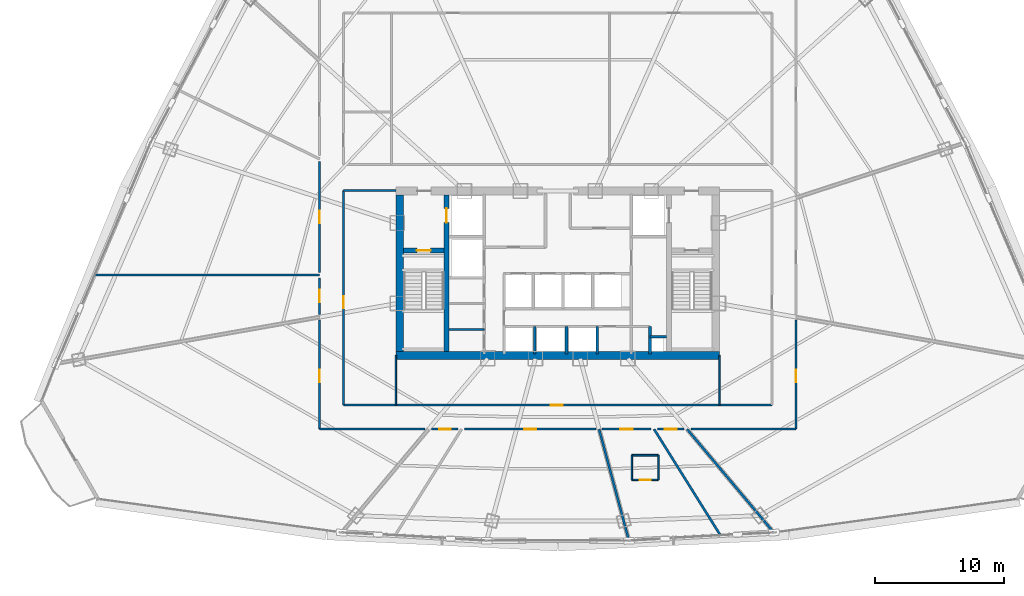
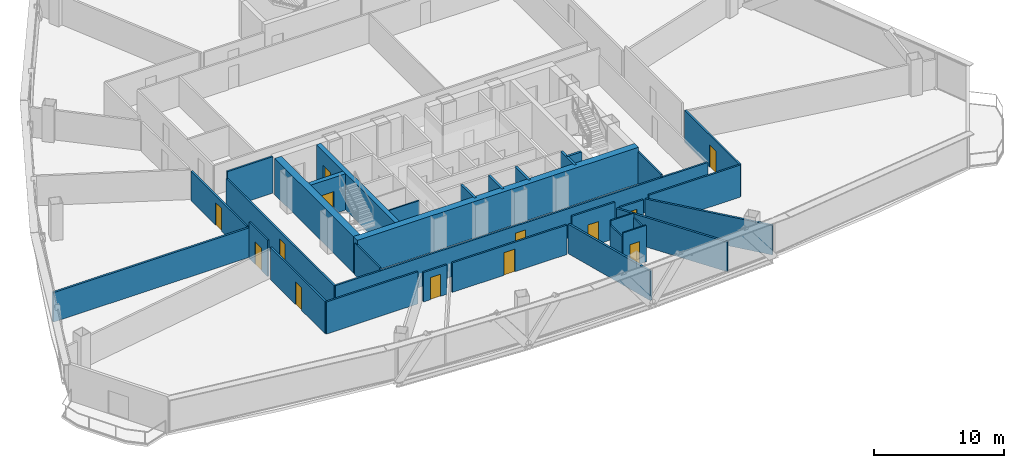
# One storey, part 32 of 39: 33 walls, 13 doors, 13 openings.
"""IFC4 building model written with IfcOpenShell, lengths in metres."""

from ifc_helpers import new_model, si_unit, direction, frame, frame_2d, origin, origin_with_axes, place, context, subcontext, project, spatial, rectangle, extrude, source, transform, mapped, material, layer, layer_set, type_object, element, fill, save


model = new_model("IFC4")

# Units and contexts
model_context = context("Model", 3, precision=1e-05, world=origin(), true_north=direction((0.0, 1.0)))
body_context = subcontext(model_context, "Body", "Model", "MODEL_VIEW")
ifc_project = project(units=[si_unit("LENGTHUNIT", "METRE"), si_unit("AREAUNIT", "SQUARE_METRE"), si_unit("VOLUMEUNIT", "CUBIC_METRE"), si_unit("PLANEANGLEUNIT", "RADIAN"), si_unit("MASSUNIT", "GRAM", prefix="KILO"), si_unit("THERMODYNAMICTEMPERATUREUNIT", "KELVIN"), si_unit("POWERUNIT", "WATT")], contexts=[model_context])

# Site, building, storey
site_placement = place(None, origin())
site = spatial("IfcSite", under=ifc_project, at=site_placement, CompositionType="ELEMENT")
building_placement = place(site_placement, origin())
building = spatial("IfcBuilding", under=site, at=building_placement, Name="Yunzhuo Pagoda Commons", CompositionType="ELEMENT")
storey_placement = place(building_placement, frame((0.0, 0.0, 144.550048828125)))
storey = spatial("IfcBuildingStorey", under=building, at=storey_placement, Name="L36", CompositionType="ELEMENT", Elevation=144.550048828125)

# Walls
ifc_material_1 = material(Name="Concrete C60", Category="concrete")
ifc_layer_1 = layer(ifc_material_1, 0.60009765625)
ifc_layer_set_1 = layer_set([ifc_layer_1], Name="Concrete C60")
wall_type_1 = type_object("IfcWallType", Name="W-C02 Mid Core Shear Wall 600", PredefinedType="SHEAR", material=ifc_layer_set_1)
wall_1_placement = place(storey_placement, frame((35.5, 27.5, 0.0), z_axis=(0.0, 0.0, 1.0), x_axis=(1.0, 0.0, 0.0)))
element("IfcWall", 1, at=wall_1_placement, inside=storey, type_object=wall_type_1, Name="L36 core shear wall S", PredefinedType="SHEAR", context=body_context, shape_type="SweptSolid", body=[
    extrude(rectangle(XDim=25.0, YDim=0.60009765625, at=frame_2d((12.5, 0.0))), origin(), (0.0, 0.0, 1.0), 3.419921875),
])
wall_2_placement = place(storey_placement, frame((35.800048828125, 27.800048828125, 0.0), z_axis=(0.0, 0.0, 1.0), x_axis=(0.0, 1.0, 0.0)))
element("IfcWall", 2, at=wall_2_placement, inside=storey, type_object=wall_type_1, Name="L36 core shear wall W", PredefinedType="SHEAR", context=body_context, shape_type="SweptSolid", body=[
    extrude(rectangle(XDim=12.099853515625, YDim=0.60009765625, at=frame_2d((6.0498046875, 0.0))), origin(), (0.0, 0.0, 1.0), 3.419921875),
])

# Wall, opening, door
ifc_material_2 = material(Name="Gypsum plasterboard on acoustic stud")
ifc_layer_2 = layer(ifc_material_2, 0.155029296875)
ifc_layer_set_2 = layer_set([ifc_layer_2], Name="Gypsum plasterboard on acoustic stud")
wall_type_2 = type_object("IfcWallType", Name="W-COR2 Mid-Zone Rated Corridor Wall 155", PredefinedType="PARTITIONING", material=ifc_layer_set_2)
wall_3_placement = place(storey_placement, frame((31.449951171875, 23.64990234375, 0.0), z_axis=(0.0, 0.0, 1.0), x_axis=(0.0, 1.0, 0.0)))
wall_3 = element("IfcWall", 3, at=wall_3_placement, inside=storey, type_object=wall_type_2, Name="L36 interior wall IW-L36-SFLW", PredefinedType="PARTITIONING", context=body_context, shape_type="SweptSolid", body=[
    extrude(rectangle(XDim=16.60009765625, YDim=0.155029296875, at=frame_2d((8.300048828125, 0.0))), origin(), (0.0, 0.0, 1.0), 2.77001953125),
])
opening_1_placement = place(wall_3_placement, frame((7.5, 0.0, 0.0)))
opening_1 = element("IfcOpeningElement", 4, at=opening_1_placement, cuts=wall_3, Name="Opening D-12", PredefinedType="OPENING", context=body_context, shape_type="SweptSolid", body=[
    extrude(rectangle(XDim=0.89990234375, YDim=2.080078125, at=frame_2d((0.449951171875, 1.0400390625))), frame((0.0, 0.08740234375, 0.0), z_axis=(0.0, -1.0, 0.0), x_axis=(1.0, 0.0, 0.0)), (0.0, 0.0, 1.0), 0.175048828125),
])
ifc_material_3 = material(Name="Powder-coated aluminium and timber acoustic leaf", Category="wood")
door_type_1 = type_object("IfcDoorType", Name="D-12 Quiet Study Interior Door 900x2080", OperationType="NOTDEFINED", PredefinedType="DOOR", material=ifc_material_3)
shared_shape_1 = source(origin(), body_context, "Body", "SweptSolid", [
    extrude(rectangle(XDim=0.89990234375, YDim=2.080078125, at=frame_2d((0.449951171875, 1.0400390625))), frame((0.0, 0.02490234375, 0.0), z_axis=(0.0, -1.0, 0.0), x_axis=(1.0, 0.0, 0.0)), (0.0, 0.0, 1.0), 0.050048828125),
])
door_1_placement = place(opening_1_placement, origin_with_axes())
door_1 = element("IfcDoor", 5, at=door_1_placement, inside=storey, type_object=door_type_1, Name="L36 west study workroom door", OperationType="SINGLE_SWING_LEFT", OverallHeight=2.080078125, OverallWidth=0.89990234375, PredefinedType="DOOR", context=body_context, shape_type="MappedRepresentation", body=[
    mapped(shared_shape_1, transform((0.0, 0.0, 0.0), scale=1.0)),
])
fill(opening_1, door_1)

wall_4_placement = place(storey_placement, frame((31.449951171875, 23.64990234375, 0.0), z_axis=(0.0, 0.0, 1.0), x_axis=(1.0, 0.0, 0.0)))
wall_4 = element("IfcWall", 6, at=wall_4_placement, inside=storey, type_object=wall_type_2, Name="L36 interior wall IW-L36-SFLS", PredefinedType="PARTITIONING", context=body_context, shape_type="SweptSolid", body=[
    extrude(rectangle(XDim=33.10009765625, YDim=0.155029296875, at=frame_2d((16.550048828125, 0.0))), origin(), (0.0, 0.0, 1.0), 2.77001953125),
])
opening_2_placement = place(wall_4_placement, frame((16.0, 0.0, 0.0)))
opening_2 = element("IfcOpeningElement", 7, at=opening_2_placement, cuts=wall_4, Name="Opening D-04", PredefinedType="OPENING", context=body_context, shape_type="SweptSolid", body=[
    extrude(rectangle(XDim=0.919921875, YDim=2.10009765625, at=frame_2d((0.4599609375, 1.050048828125))), frame((0.0, 0.08740234375, 0.0), z_axis=(0.0, -1.0, 0.0), x_axis=(1.0, 0.0, 0.0)), (0.0, 0.0, 1.0), 0.175048828125),
])
door_type_2 = type_object("IfcDoorType", Name="D-04 Bedroom & Study Interior Door 920x2100", OperationType="NOTDEFINED", PredefinedType="DOOR", material=ifc_material_3)
shared_shape_2 = source(origin(), body_context, "Body", "SweptSolid", [
    extrude(rectangle(XDim=0.919921875, YDim=2.10009765625, at=frame_2d((0.4599609375, 1.050048828125))), frame((0.0, 0.02490234375, 0.0), z_axis=(0.0, -1.0, 0.0), x_axis=(1.0, 0.0, 0.0)), (0.0, 0.0, 1.0), 0.050048828125),
])
door_2_placement = place(opening_2_placement, frame((0.919921875, 0.0, 0.0), z_axis=(0.0, 0.0, 1.0), x_axis=(-1.0, 0.0, 0.0)))
door_2 = element("IfcDoor", 8, at=door_2_placement, inside=storey, type_object=door_type_2, Name="L36 south seminar room door", OperationType="SINGLE_SWING_RIGHT", OverallHeight=2.10009765625, OverallWidth=0.919921875, PredefinedType="DOOR", context=body_context, shape_type="MappedRepresentation", body=[
    mapped(shared_shape_2, transform((0.0, 0.0, 0.0), scale=1.0)),
])
fill(opening_2, door_2)

# Wall
wall_5_placement = place(storey_placement, frame((31.449951171875, 40.25, 0.0), z_axis=(0.0, 0.0, 1.0), x_axis=(1.0, 0.0, 0.0)))
element("IfcWall", 9, at=wall_5_placement, inside=storey, type_object=wall_type_2, Name="L36 interior wall IW-L36-SFLNW", PredefinedType="PARTITIONING", context=body_context, shape_type="SweptSolid", body=[
    extrude(rectangle(XDim=4.050048828125, YDim=0.155029296875, at=frame_2d((2.02490234375, 0.0))), origin(), (0.0, 0.0, 1.0), 3.419921875),
])

# Wall, opening, door
wall_6_placement = place(storey_placement, frame((29.60009765625, 21.800048828125, 0.0), z_axis=(0.0, 0.0, 1.0), x_axis=(0.0, 1.0, 0.0)))
wall_6 = element("IfcWall", 10, at=wall_6_placement, inside=storey, type_object=wall_type_2, Name="L36 interior wall IW-L36-CWL01", PredefinedType="PARTITIONING", context=body_context, shape_type="SweptSolid", body=[
    extrude(rectangle(XDim=8.43212890625, YDim=0.155029296875, at=frame_2d((4.216064453125, 0.0))), origin(), (0.0, 0.0, 1.0), 3.02001953125),
])
opening_3_placement = place(wall_6_placement, frame((3.622802734375, 0.0, 0.0)))
opening_3 = element("IfcOpeningElement", 11, at=opening_3_placement, cuts=wall_6, Name="Opening D-07", PredefinedType="OPENING", context=body_context, shape_type="SweptSolid", body=[
    extrude(rectangle(XDim=0.9599609375, YDim=2.1201171875, at=frame_2d((0.47998046875, 1.06005859375))), frame((0.0, 0.08740234375, 0.0), z_axis=(0.0, -1.0, 0.0), x_axis=(1.0, 0.0, 0.0)), (0.0, 0.0, 1.0), 0.175048828125),
])
ifc_material_4 = material(Name="Galvanized fire-resisting metal leaf")
door_type_3 = type_object("IfcDoorType", Name="D-07 Mid-Zone Suite Entrance Fire Door 960x2120", OperationType="NOTDEFINED", PredefinedType="DOOR", material=ifc_material_4)
shared_shape_3 = source(origin(), body_context, "Body", "SweptSolid", [
    extrude(rectangle(XDim=0.9599609375, YDim=2.1201171875, at=frame_2d((0.47998046875, 1.06005859375))), frame((0.0, 0.02490234375, 0.0), z_axis=(0.0, -1.0, 0.0), x_axis=(1.0, 0.0, 0.0)), (0.0, 0.0, 1.0), 0.050048828125),
])
door_3_placement = place(opening_3_placement, origin_with_axes())
door_3 = element("IfcDoor", 12, at=door_3_placement, inside=storey, type_object=door_type_3, Name="L36 unit 09 entrance door", OperationType="SINGLE_SWING_RIGHT", OverallHeight=2.1201171875, OverallWidth=0.9599609375, PredefinedType="DOOR", context=body_context, shape_type="MappedRepresentation", body=[
    mapped(shared_shape_3, transform((0.0, 0.0, 0.0), scale=1.0)),
])
fill(opening_3, door_3)

wall_7_placement = place(storey_placement, frame((29.60009765625, 30.67529296875, 0.0), z_axis=(0.0, 0.0, 1.0), x_axis=(0.0, 1.0, 0.0)))
wall_7 = element("IfcWall", 13, at=wall_7_placement, inside=storey, type_object=wall_type_2, Name="L36 interior wall IW-L36-CWL02", PredefinedType="PARTITIONING", context=body_context, shape_type="SweptSolid", body=[
    extrude(rectangle(XDim=2.8046875, YDim=0.155029296875, at=frame_2d((1.40234375, 0.0))), origin(), (0.0, 0.0, 1.0), 3.419921875),
])
opening_4_placement = place(wall_7_placement, frame((0.927490234375, 0.0, 0.0)))
opening_4 = element("IfcOpeningElement", 14, at=opening_4_placement, cuts=wall_7, Name="Opening D-07", PredefinedType="OPENING", context=body_context, shape_type="SweptSolid", body=[
    extrude(rectangle(XDim=0.9599609375, YDim=2.1201171875, at=frame_2d((0.47998046875, 1.06005859375))), frame((0.0, 0.08740234375, 0.0), z_axis=(0.0, -1.0, 0.0), x_axis=(1.0, 0.0, 0.0)), (0.0, 0.0, 1.0), 0.175048828125),
])
door_4_placement = place(opening_4_placement, origin_with_axes())
door_4 = element("IfcDoor", 15, at=door_4_placement, inside=storey, type_object=door_type_3, Name="L36 unit 08 entrance door", OperationType="SINGLE_SWING_LEFT", OverallHeight=2.1201171875, OverallWidth=0.9599609375, PredefinedType="DOOR", context=body_context, shape_type="MappedRepresentation", body=[
    mapped(shared_shape_3, transform((0.0, 0.0, 0.0), scale=1.0)),
])
fill(opening_4, door_4)

wall_8_placement = place(storey_placement, frame((29.60009765625, 33.919921875, 0.0), z_axis=(0.0, 0.0, 1.0), x_axis=(0.0, 1.0, 0.0)))
wall_8 = element("IfcWall", 16, at=wall_8_placement, inside=storey, type_object=wall_type_2, Name="L36 interior wall IW-L36-CWL03", PredefinedType="PARTITIONING", context=body_context, shape_type="SweptSolid", body=[
    extrude(rectangle(XDim=8.53466796875, YDim=0.155029296875, at=frame_2d((4.267333984375, 0.0))), origin(), (0.0, 0.0, 1.0), 2.77001953125),
])
opening_5_placement = place(wall_8_placement, frame((3.792236328125, 0.0, 0.0)))
opening_5 = element("IfcOpeningElement", 17, at=opening_5_placement, cuts=wall_8, Name="Opening D-07", PredefinedType="OPENING", context=body_context, shape_type="SweptSolid", body=[
    extrude(rectangle(XDim=0.9599609375, YDim=2.1201171875, at=frame_2d((0.47998046875, 1.06005859375))), frame((0.0, 0.08740234375, 0.0), z_axis=(0.0, -1.0, 0.0), x_axis=(1.0, 0.0, 0.0)), (0.0, 0.0, 1.0), 0.175048828125),
])
door_5_placement = place(opening_5_placement, origin_with_axes())
door_5 = element("IfcDoor", 18, at=door_5_placement, inside=storey, type_object=door_type_3, Name="L36 Resident Co-Living Commons Hall door", OperationType="SINGLE_SWING_RIGHT", OverallHeight=2.1201171875, OverallWidth=0.9599609375, PredefinedType="DOOR", context=body_context, shape_type="MappedRepresentation", body=[
    mapped(shared_shape_3, transform((0.0, 0.0, 0.0), scale=1.0)),
])
fill(opening_5, door_5)

wall_9_placement = place(storey_placement, frame((66.39990234375, 30.232177734375, 0.0), z_axis=(0.0, 0.0, 1.0), x_axis=(0.0, -1.0, 0.0)))
wall_9 = element("IfcWall", 19, at=wall_9_placement, inside=storey, type_object=wall_type_2, Name="L36 interior wall IW-L36-CWL12", PredefinedType="PARTITIONING", context=body_context, shape_type="SweptSolid", body=[
    extrude(rectangle(XDim=8.43212890625, YDim=0.155029296875, at=frame_2d((4.216064453125, 0.0))), origin(), (0.0, 0.0, 1.0), 3.02001953125),
])
opening_6_placement = place(wall_9_placement, frame((3.859375, 0.0, 0.0)))
opening_6 = element("IfcOpeningElement", 20, at=opening_6_placement, cuts=wall_9, Name="Opening D-07", PredefinedType="OPENING", context=body_context, shape_type="SweptSolid", body=[
    extrude(rectangle(XDim=0.9599609375, YDim=2.1201171875, at=frame_2d((0.47998046875, 1.06005859375))), frame((0.0, 0.08740234375, 0.0), z_axis=(0.0, -1.0, 0.0), x_axis=(1.0, 0.0, 0.0)), (0.0, 0.0, 1.0), 0.175048828125),
])
door_6_placement = place(opening_6_placement, origin_with_axes())
door_6 = element("IfcDoor", 21, at=door_6_placement, inside=storey, type_object=door_type_3, Name="L36 unit 14 entrance door", OperationType="SINGLE_SWING_LEFT", OverallHeight=2.1201171875, OverallWidth=0.9599609375, PredefinedType="DOOR", context=body_context, shape_type="MappedRepresentation", body=[
    mapped(shared_shape_3, transform((0.0, 0.0, 0.0), scale=1.0)),
])
fill(opening_6, door_6)

# Wall
wall_10_placement = place(storey_placement, frame((66.39990234375, 21.800048828125, 0.0), z_axis=(0.0, 0.0, 1.0), x_axis=(-1.0, 0.0, 0.0)))
element("IfcWall", 22, at=wall_10_placement, inside=storey, type_object=wall_type_2, Name="L36 interior wall IW-L36-CWL13", PredefinedType="PARTITIONING", context=body_context, shape_type="SweptSolid", body=[
    extrude(rectangle(XDim=8.12744140625, YDim=0.155029296875, at=frame_2d((4.063720703125, 0.0))), origin(), (0.0, 0.0, 1.0), 3.02001953125),
])

# Wall, opening, door
wall_11_placement = place(storey_placement, frame((57.765380859375, 21.800048828125, 0.0), z_axis=(0.0, 0.0, 1.0), x_axis=(-1.0, 0.0, 0.0)))
wall_11 = element("IfcWall", 23, at=wall_11_placement, inside=storey, type_object=wall_type_2, Name="L36 interior wall IW-L36-CWL14", PredefinedType="PARTITIONING", context=body_context, shape_type="SweptSolid", body=[
    extrude(rectangle(XDim=2.070068359375, YDim=0.155029296875, at=frame_2d((1.03515625, 0.0))), origin(), (0.0, 0.0, 1.0), 2.77001953125),
])
opening_7_placement = place(wall_11_placement, frame((0.5947265625, 0.0, 0.0)))
opening_7 = element("IfcOpeningElement", 24, at=opening_7_placement, cuts=wall_11, Name="Opening D-12", PredefinedType="OPENING", context=body_context, shape_type="SweptSolid", body=[
    extrude(rectangle(XDim=0.89990234375, YDim=2.080078125, at=frame_2d((0.449951171875, 1.0400390625))), frame((0.0, 0.08740234375, 0.0), z_axis=(0.0, -1.0, 0.0), x_axis=(1.0, 0.0, 0.0)), (0.0, 0.0, 1.0), 0.175048828125),
])
door_7_placement = place(opening_7_placement, origin_with_axes())
door_7 = element("IfcDoor", 25, at=door_7_placement, inside=storey, type_object=door_type_1, Name="L36 study lounge 13 door", OperationType="SINGLE_SWING_RIGHT", OverallHeight=2.080078125, OverallWidth=0.89990234375, PredefinedType="DOOR", context=body_context, shape_type="MappedRepresentation", body=[
    mapped(shared_shape_1, transform((0.0, 0.0, 0.0), scale=1.0)),
])
fill(opening_7, door_7)

wall_12_placement = place(storey_placement, frame((55.216064453125, 21.800048828125, 0.0), z_axis=(0.0, 0.0, 1.0), x_axis=(-1.0, 0.0, 0.0)))
wall_12 = element("IfcWall", 26, at=wall_12_placement, inside=storey, type_object=wall_type_2, Name="L36 interior wall IW-L36-CWL15", PredefinedType="PARTITIONING", context=body_context, shape_type="SweptSolid", body=[
    extrude(rectangle(XDim=3.799560546875, YDim=0.155029296875, at=frame_2d((1.89990234375, 0.0))), origin(), (0.0, 0.0, 1.0), 3.419921875),
])
opening_8_placement = place(wall_12_placement, frame((1.4287109375, 0.0, 0.0)))
opening_8 = element("IfcOpeningElement", 27, at=opening_8_placement, cuts=wall_12, Name="Opening D-07", PredefinedType="OPENING", context=body_context, shape_type="SweptSolid", body=[
    extrude(rectangle(XDim=0.9599609375, YDim=2.1201171875, at=frame_2d((0.47998046875, 1.06005859375))), frame((0.0, 0.08740234375, 0.0), z_axis=(0.0, -1.0, 0.0), x_axis=(1.0, 0.0, 0.0)), (0.0, 0.0, 1.0), 0.175048828125),
])
door_8_placement = place(opening_8_placement, origin_with_axes())
door_8 = element("IfcDoor", 28, at=door_8_placement, inside=storey, type_object=door_type_3, Name="L36 unit 12 entrance door", OperationType="SINGLE_SWING_LEFT", OverallHeight=2.1201171875, OverallWidth=0.9599609375, PredefinedType="DOOR", context=body_context, shape_type="MappedRepresentation", body=[
    mapped(shared_shape_3, transform((0.0, 0.0, 0.0), scale=1.0)),
])
fill(opening_8, door_8)

wall_13_placement = place(storey_placement, frame((50.96875, 21.800048828125, 0.0), z_axis=(0.0, 0.0, 1.0), x_axis=(-1.0, 0.0, 0.0)))
wall_13 = element("IfcWall", 29, at=wall_13_placement, inside=storey, type_object=wall_type_2, Name="L36 interior wall IW-L36-CWL16", PredefinedType="PARTITIONING", context=body_context, shape_type="SweptSolid", body=[
    extrude(rectangle(XDim=10.184814453125, YDim=0.155029296875, at=frame_2d((5.09228515625, 0.0))), origin(), (0.0, 0.0, 1.0), 2.77001953125),
])
opening_9_placement = place(wall_13_placement, frame((4.617431640625, 0.0, 0.0)))
opening_9 = element("IfcOpeningElement", 30, at=opening_9_placement, cuts=wall_13, Name="Opening D-07", PredefinedType="OPENING", context=body_context, shape_type="SweptSolid", body=[
    extrude(rectangle(XDim=0.9599609375, YDim=2.1201171875, at=frame_2d((0.47998046875, 1.06005859375))), frame((0.0, 0.08740234375, 0.0), z_axis=(0.0, -1.0, 0.0), x_axis=(1.0, 0.0, 0.0)), (0.0, 0.0, 1.0), 0.175048828125),
])
door_9_placement = place(opening_9_placement, origin_with_axes())
door_9 = element("IfcDoor", 31, at=door_9_placement, inside=storey, type_object=door_type_3, Name="L36 Academic Reading Commons 2 door", OperationType="SINGLE_SWING_RIGHT", OverallHeight=2.1201171875, OverallWidth=0.9599609375, PredefinedType="DOOR", context=body_context, shape_type="MappedRepresentation", body=[
    mapped(shared_shape_3, transform((0.0, 0.0, 0.0), scale=1.0)),
])
fill(opening_9, door_9)

wall_14_placement = place(storey_placement, frame((40.3046875, 21.800048828125, 0.0), z_axis=(0.0, 0.0, 1.0), x_axis=(-1.0, 0.0, 0.0)))
wall_14 = element("IfcWall", 32, at=wall_14_placement, inside=storey, type_object=wall_type_2, Name="L36 interior wall IW-L36-CWL17", PredefinedType="PARTITIONING", context=body_context, shape_type="SweptSolid", body=[
    extrude(rectangle(XDim=2.070068359375, YDim=0.155029296875, at=frame_2d((1.03515625, 0.0))), origin(), (0.0, 0.0, 1.0), 2.77001953125),
])
opening_10_placement = place(wall_14_placement, frame((0.555419921875, 0.0, 0.0)))
opening_10 = element("IfcOpeningElement", 33, at=opening_10_placement, cuts=wall_14, Name="Opening D-12", PredefinedType="OPENING", context=body_context, shape_type="SweptSolid", body=[
    extrude(rectangle(XDim=0.89990234375, YDim=2.080078125, at=frame_2d((0.449951171875, 1.0400390625))), frame((0.0, 0.08740234375, 0.0), z_axis=(0.0, -1.0, 0.0), x_axis=(1.0, 0.0, 0.0)), (0.0, 0.0, 1.0), 0.175048828125),
])
door_10_placement = place(opening_10_placement, origin_with_axes())
door_10 = element("IfcDoor", 34, at=door_10_placement, inside=storey, type_object=door_type_1, Name="L36 study lounge 10 door", OperationType="SINGLE_SWING_LEFT", OverallHeight=2.080078125, OverallWidth=0.89990234375, PredefinedType="DOOR", context=body_context, shape_type="MappedRepresentation", body=[
    mapped(shared_shape_1, transform((0.0, 0.0, 0.0), scale=1.0)),
])
fill(opening_10, door_10)

# Walls
wall_15_placement = place(storey_placement, frame((37.7275390625, 21.800048828125, 0.0), z_axis=(0.0, 0.0, 1.0), x_axis=(-1.0, 0.0, 0.0)))
element("IfcWall", 35, at=wall_15_placement, inside=storey, type_object=wall_type_2, Name="L36 interior wall IW-L36-CWL18", PredefinedType="PARTITIONING", context=body_context, shape_type="SweptSolid", body=[
    extrude(rectangle(XDim=8.12744140625, YDim=0.155029296875, at=frame_2d((4.063720703125, 0.0))), origin(), (0.0, 0.0, 1.0), 3.02001953125),
])
ifc_layer_3 = layer(ifc_material_2, 0.1201171875)
ifc_layer_set_3 = layer_set([ifc_layer_3], Name="Gypsum plasterboard on acoustic stud")
wall_type_3 = type_object("IfcWallType", Name="W-PRT1 Suite & Bathroom Partition 120", PredefinedType="PARTITIONING", material=ifc_layer_set_3)
wall_16_placement = place(storey_placement, frame((39.60009765625, 29.5, 0.0), z_axis=(0.0, 0.0, 1.0), x_axis=(1.0, 0.0, 0.0)))
element("IfcWall", 36, at=wall_16_placement, inside=storey, type_object=wall_type_3, Name="L36 interior wall IW-L36-CC1", PredefinedType="PARTITIONING", context=body_context, shape_type="SweptSolid", body=[
    extrude(rectangle(XDim=2.719970703125, YDim=0.1201171875, at=frame_2d((1.35986328125, 0.0))), origin(), (0.0, 0.0, 1.0), 3.419921875),
])
for number, where, z_axis, x_axis, name in (
    (37, (35.5, 23.64990234375, 0.0), (0.0, 0.0, 1.0), (0.0, 1.0, 0.0), "L36 interior wall IW-L36-SFLD1"),
    (38, (60.5, 23.64990234375, 0.0), (0.0, 0.0, 1.0), (0.0, 1.0, 0.0), "L36 interior wall IW-L36-SFLD2"),
):
    element("IfcWall", number, at=place(storey_placement, frame(where, z_axis=z_axis, x_axis=x_axis)), inside=storey, type_object=wall_type_3, Name=name, PredefinedType="PARTITIONING", context=body_context, shape_type="SweptSolid", body=[
        extrude(rectangle(XDim=3.85009765625, YDim=0.1201171875, at=frame_2d((1.925048828125, 0.0))), origin(), (0.0, 0.0, 1.0), 3.02001953125),
    ])

# Wall, opening, door
wall_17_placement = place(storey_placement, frame((53.714111328125, 17.889892578125, 0.0), z_axis=(0.0, 0.0, 1.0), x_axis=(1.0, 0.0, 0.0)))
wall_17 = element("IfcWall", 39, at=wall_17_placement, inside=storey, type_object=wall_type_3, Name="L36 interior wall IW-L36-B12S", PredefinedType="PARTITIONING", context=body_context, shape_type="SweptSolid", body=[
    extrude(rectangle(XDim=2.0498046875, YDim=0.1201171875, at=frame_2d((1.02490234375, 0.0))), origin(), (0.0, 0.0, 1.0), 3.419921875),
])
opening_11_placement = place(wall_17_placement, frame((0.60009765625, 0.0, 0.0)))
opening_11 = element("IfcOpeningElement", 40, at=opening_11_placement, cuts=wall_17, Name="Opening D-05", PredefinedType="OPENING", context=body_context, shape_type="SweptSolid", body=[
    extrude(rectangle(XDim=0.85009765625, YDim=2.10009765625, at=frame_2d((0.425048828125, 1.050048828125))), frame((0.0, 0.070068359375, 0.0), z_axis=(0.0, -1.0, 0.0), x_axis=(1.0, 0.0, 0.0)), (0.0, 0.0, 1.0), 0.14013671875),
])
door_type_4 = type_object("IfcDoorType", Name="D-05 En-Suite Bathroom Door 850x2100", OperationType="NOTDEFINED", PredefinedType="DOOR", material=ifc_material_3)
shared_shape_4 = source(origin(), body_context, "Body", "SweptSolid", [
    extrude(rectangle(XDim=0.85009765625, YDim=2.10009765625, at=frame_2d((0.425048828125, 1.050048828125))), frame((0.0, 0.02490234375, 0.0), z_axis=(0.0, -1.0, 0.0), x_axis=(1.0, 0.0, 0.0)), (0.0, 0.0, 1.0), 0.050048828125),
])
door_11_placement = place(opening_11_placement, frame((0.85009765625, 0.0, 0.0), z_axis=(0.0, 0.0, 1.0), x_axis=(-1.0, 0.0, 0.0)))
door_11 = element("IfcDoor", 41, at=door_11_placement, inside=storey, type_object=door_type_4, Name="L36 unit 12 bathroom door", OperationType="SINGLE_SWING_LEFT", OverallHeight=2.10009765625, OverallWidth=0.85009765625, PredefinedType="DOOR", context=body_context, shape_type="MappedRepresentation", body=[
    mapped(shared_shape_4, transform((0.0, 0.0, 0.0), scale=1.0)),
])
fill(opening_11, door_11)

# Walls
wall_18_placement = place(storey_placement, frame((55.763916015625, 17.889892578125, 0.0), z_axis=(0.0, 0.0, 1.0), x_axis=(0.0, 1.0, 0.0)))
element("IfcWall", 42, at=wall_18_placement, inside=storey, type_object=wall_type_3, Name="L36 interior wall IW-L36-B12E", PredefinedType="PARTITIONING", context=body_context, shape_type="SweptSolid", body=[
    extrude(rectangle(XDim=1.900146484375, YDim=0.1201171875, at=frame_2d((0.9501953125, 0.0))), origin(), (0.0, 0.0, 1.0), 3.02001953125),
])
wall_19_placement = place(storey_placement, frame((55.763916015625, 19.7900390625, 0.0), z_axis=(0.0, 0.0, 1.0), x_axis=(-1.0, 0.0, 0.0)))
element("IfcWall", 43, at=wall_19_placement, inside=storey, type_object=wall_type_3, Name="L36 interior wall IW-L36-B12N", PredefinedType="PARTITIONING", context=body_context, shape_type="SweptSolid", body=[
    extrude(rectangle(XDim=2.0498046875, YDim=0.1201171875, at=frame_2d((1.02490234375, 0.0))), origin(), (0.0, 0.0, 1.0), 3.419921875),
])
wall_20_placement = place(storey_placement, frame((53.714111328125, 19.7900390625, 0.0), z_axis=(0.0, 0.0, 1.0), x_axis=(0.0, -1.0, 0.0)))
element("IfcWall", 44, at=wall_20_placement, inside=storey, type_object=wall_type_3, Name="L36 interior wall IW-L36-B12W", PredefinedType="PARTITIONING", context=body_context, shape_type="SweptSolid", body=[
    extrude(rectangle(XDim=1.900146484375, YDim=0.1201171875, at=frame_2d((0.9501953125, 0.0))), origin(), (0.0, 0.0, 1.0), 3.02001953125),
])
ifc_layer_4 = layer(ifc_material_2, 0.175048828125)
ifc_layer_set_4 = layer_set([ifc_layer_4], Name="Gypsum plasterboard on acoustic stud")
wall_type_4 = type_object("IfcWallType", Name="W-PRT3 Mid-Zone Demising Wall 175", PredefinedType="PARTITIONING", material=ifc_layer_set_4)
wall_21_placement = place(storey_placement, frame((29.60009765625, 33.699951171875, 0.0), z_axis=(0.0, 0.0, 1.0), x_axis=(-1.0, 0.0, 0.0)))
element("IfcWall", 45, at=wall_21_placement, inside=storey, type_object=wall_type_4, Name="L36 interior wall IW-L36-RAD07", PredefinedType="PARTITIONING", context=body_context, shape_type="SweptSolid", body=[
    extrude(rectangle(XDim=17.403076171875, YDim=0.175048828125, at=frame_2d((8.70166015625, 0.0))), origin(), (0.0, 0.0, 1.0), 2.77001953125),
])
wall_22_placement = place(storey_placement, frame((51.188720703125, 21.800048828125, 0.0), z_axis=(0.0, 0.0, 1.0), x_axis=(0.258794890482, -0.965932298177, 0.0)))
element("IfcWall", 46, at=wall_22_placement, inside=storey, type_object=wall_type_4, Name="L36 interior wall IW-L36-RAD11", PredefinedType="PARTITIONING", context=body_context, shape_type="SweptSolid", body=[
    extrude(rectangle(XDim=8.92333984375, YDim=0.175048828125, at=frame_2d((4.461669921875, 0.0))), origin(), (0.0, 0.0, 1.0), 2.77001953125),
])
wall_23_placement = place(storey_placement, frame((55.435791015625, 21.800048828125, 0.0), z_axis=(0.0, 0.0, 1.0), x_axis=(0.529931002604, -0.848040761096, 0.0)))
element("IfcWall", 47, at=wall_23_placement, inside=storey, type_object=wall_type_4, Name="L36 interior wall IW-L36-RAD12", PredefinedType="PARTITIONING", context=body_context, shape_type="SweptSolid", body=[
    extrude(rectangle(XDim=9.69091796875, YDim=0.175048828125, at=frame_2d((4.845458984375, 0.0))), origin(), (0.0, 0.0, 1.0), 2.77001953125),
])
wall_24_placement = place(storey_placement, frame((57.9853515625, 21.800048828125, 0.0), z_axis=(0.0, 0.0, 1.0), x_axis=(0.642781677101, -0.76604942111, 0.0)))
element("IfcWall", 48, at=wall_24_placement, inside=storey, type_object=wall_type_4, Name="L36 interior wall IW-L36-RAD13", PredefinedType="PARTITIONING", context=body_context, shape_type="SweptSolid", body=[
    extrude(rectangle(XDim=10.423828125, YDim=0.175048828125, at=frame_2d((5.2119140625, 0.0))), origin(), (0.0, 0.0, 1.0), 2.77001953125),
])

# Wall, opening, door
ifc_layer_5 = layer(ifc_material_1, 0.39990234375)
ifc_layer_set_5 = layer_set([ifc_layer_5], Name="Concrete C60")
wall_type_5 = type_object("IfcWallType", Name="W-S01 Internal Core Shear Web 400", PredefinedType="SHEAR", material=ifc_layer_set_5)
wall_25_placement = place(storey_placement, frame((39.39990234375, 27.800048828125, 0.0), z_axis=(0.0, 0.0, 1.0), x_axis=(0.0, 1.0, 0.0)))
wall_25 = element("IfcWall", 49, at=wall_25_placement, inside=storey, type_object=wall_type_5, Name="L36 core shear wall WEBW", PredefinedType="SHEAR", context=body_context, shape_type="SweptSolid", body=[
    extrude(rectangle(XDim=12.099853515625, YDim=0.39990234375, at=frame_2d((6.0498046875, 0.0))), origin(), (0.0, 0.0, 1.0), 3.419921875),
])
opening_12_placement = place(wall_25_placement, frame((9.949951171875, 0.0, 0.0)))
opening_12 = element("IfcOpeningElement", 50, at=opening_12_placement, cuts=wall_25, Name="Opening LD-01", PredefinedType="OPENING", context=body_context, shape_type="SweptSolid", body=[
    extrude(rectangle(XDim=1.10009765625, YDim=2.10009765625, at=frame_2d((0.550048828125, 1.050048828125))), frame((0.0, 0.2099609375, 0.0), z_axis=(0.0, -1.0, 0.0), x_axis=(1.0, 0.0, 0.0)), (0.0, 0.0, 1.0), 0.419921875),
])
door_type_5 = type_object("IfcDoorType", Name="LD-01 Firefighting Lift Landing Door 1100x2100", OperationType="DOUBLE_DOOR_SLIDING", PredefinedType="DOOR", material=ifc_material_4)
shared_shape_5 = source(origin(), body_context, "Body", "SweptSolid", [
    extrude(rectangle(XDim=1.10009765625, YDim=2.10009765625, at=frame_2d((0.550048828125, 1.050048828125))), frame((0.0, 0.02490234375, 0.0), z_axis=(0.0, -1.0, 0.0), x_axis=(1.0, 0.0, 0.0)), (0.0, 0.0, 1.0), 0.050048828125),
])
door_12_placement = place(opening_12_placement, frame((1.10009765625, 0.0, 0.0), z_axis=(0.0, 0.0, 1.0), x_axis=(-1.0, 0.0, 0.0)))
door_12 = element("IfcDoor", 51, at=door_12_placement, inside=storey, type_object=door_type_5, Name="L36 Firefighting lift FL-1 landing door", OperationType="DOUBLE_DOOR_SLIDING", OverallHeight=2.10009765625, OverallWidth=1.10009765625, PredefinedType="DOOR", context=body_context, shape_type="MappedRepresentation", body=[
    mapped(shared_shape_5, transform((0.0, 0.0, 0.0), scale=1.0)),
])
fill(opening_12, door_12)

wall_26_placement = place(storey_placement, frame((36.10009765625, 35.60009765625, 0.0), z_axis=(0.0, 0.0, 1.0), x_axis=(1.0, 0.0, 0.0)))
wall_26 = element("IfcWall", 52, at=wall_26_placement, inside=storey, type_object=wall_type_5, Name="L36 core shear wall STW", PredefinedType="SHEAR", context=body_context, shape_type="SweptSolid", body=[
    extrude(rectangle(XDim=3.099853515625, YDim=0.39990234375, at=frame_2d((1.5498046875, 0.0))), origin(), (0.0, 0.0, 1.0), 3.419921875),
])
opening_13_placement = place(wall_26_placement, frame((1.02001953125, 0.0, 0.0)))
opening_13 = element("IfcOpeningElement", 53, at=opening_13_placement, cuts=wall_26, Name="Opening D-01", PredefinedType="OPENING", context=body_context, shape_type="SweptSolid", body=[
    extrude(rectangle(XDim=1.050048828125, YDim=2.10009765625, at=frame_2d((0.52490234375, 1.050048828125))), frame((0.0, 0.2099609375, 0.0), z_axis=(0.0, -1.0, 0.0), x_axis=(1.0, 0.0, 0.0)), (0.0, 0.0, 1.0), 0.419921875),
])
door_type_6 = type_object("IfcDoorType", Name="D-01 Smokeproof Stair Fire Door 1050x2100", OperationType="NOTDEFINED", PredefinedType="DOOR", material=ifc_material_4)
shared_shape_6 = source(origin(), body_context, "Body", "SweptSolid", [
    extrude(rectangle(XDim=1.050048828125, YDim=2.10009765625, at=frame_2d((0.52490234375, 1.050048828125))), frame((0.0, 0.02490234375, 0.0), z_axis=(0.0, -1.0, 0.0), x_axis=(1.0, 0.0, 0.0)), (0.0, 0.0, 1.0), 0.050048828125),
])
door_13_placement = place(opening_13_placement, frame((1.050048828125, 0.0, 0.0), z_axis=(0.0, 0.0, 1.0), x_axis=(-1.0, 0.0, 0.0)))
door_13 = element("IfcDoor", 54, at=door_13_placement, inside=storey, type_object=door_type_6, Name="L36 Stair ST1 fire door", OperationType="SINGLE_SWING_LEFT", OverallHeight=2.10009765625, OverallWidth=1.050048828125, PredefinedType="DOOR", context=body_context, shape_type="MappedRepresentation", body=[
    mapped(shared_shape_6, transform((0.0, 0.0, 0.0), scale=1.0)),
])
fill(opening_13, door_13)

# Walls
ifc_material_5 = material(Name="Concrete C40", Category="concrete")
ifc_layer_6 = layer(ifc_material_5, 0.199951171875)
ifc_layer_set_6 = layer_set([ifc_layer_6], Name="Concrete C40")
wall_type_6 = type_object("IfcWallType", Name="W-SHF Shaft & Stair Enclosure Wall 200", PredefinedType="SOLIDWALL", material=ifc_layer_set_6)
for number, where, z_axis, x_axis, name in (
    (55, (51.050048828125, 27.60009765625, 0.0), (0.0, 0.0, 1.0), (0.0, 1.0, 0.0), "L36 interior wall IW-L36-PLHE"),
    (56, (46.22509765625, 27.60009765625, 0.0), (0.0, 0.0, 1.0), (0.0, 1.0, 0.0), "L36 interior wall IW-L36-PLHD1"),
    (57, (48.675048828125, 27.60009765625, 0.0), (0.0, 0.0, 1.0), (0.0, 1.0, 0.0), "L36 interior wall IW-L36-PLHD2"),
    (58, (55.1201171875, 27.60009765625, 0.0), (0.0, 0.0, 1.0), (0.0, 1.0, 0.0), "L36 interior wall IW-L36-RSHFW"),
):
    element("IfcWall", number, at=place(storey_placement, frame(where, z_axis=z_axis, x_axis=x_axis)), inside=storey, type_object=wall_type_6, Name=name, PredefinedType="SOLIDWALL", context=body_context, shape_type="SweptSolid", body=[
        extrude(rectangle(XDim=2.119873046875, YDim=0.199951171875, at=frame_2d((1.06005859375, 0.0))), origin(), (0.0, 0.0, 1.0), 3.419921875),
    ])
wall_27_placement = place(storey_placement, frame((55.1201171875, 28.949951171875, 0.0), z_axis=(0.0, 0.0, 1.0), x_axis=(1.0, 0.0, 0.0)))
element("IfcWall", 59, at=wall_27_placement, inside=storey, type_object=wall_type_6, Name="L36 interior wall IW-L36-RSHFN", PredefinedType="SOLIDWALL", context=body_context, shape_type="SweptSolid", body=[
    extrude(rectangle(XDim=1.27978515625, YDim=0.199951171875, at=frame_2d((0.639892578125, 0.0))), origin(), (0.0, 0.0, 1.0), 3.419921875),
])

save(model, "model.ifc")
